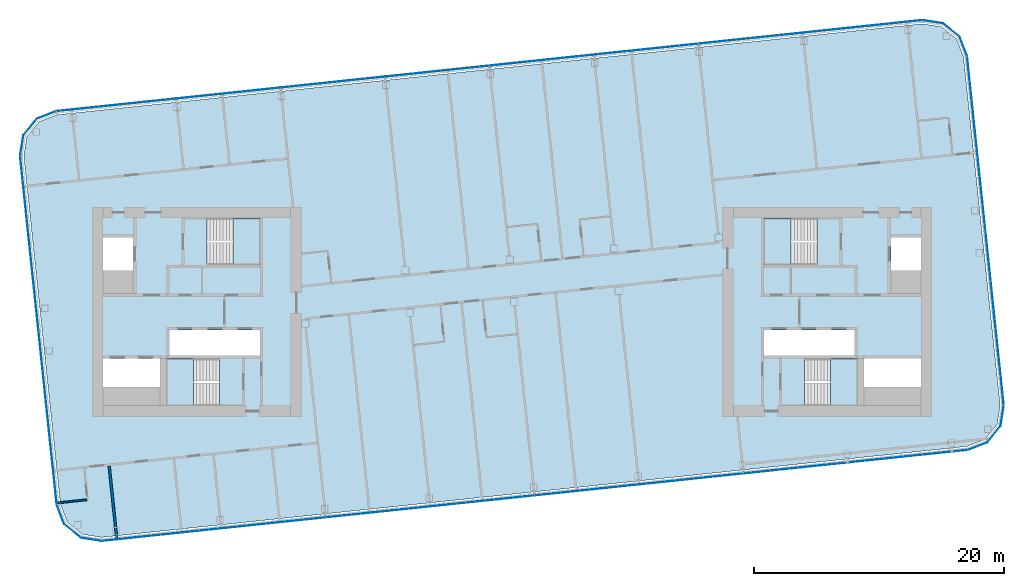
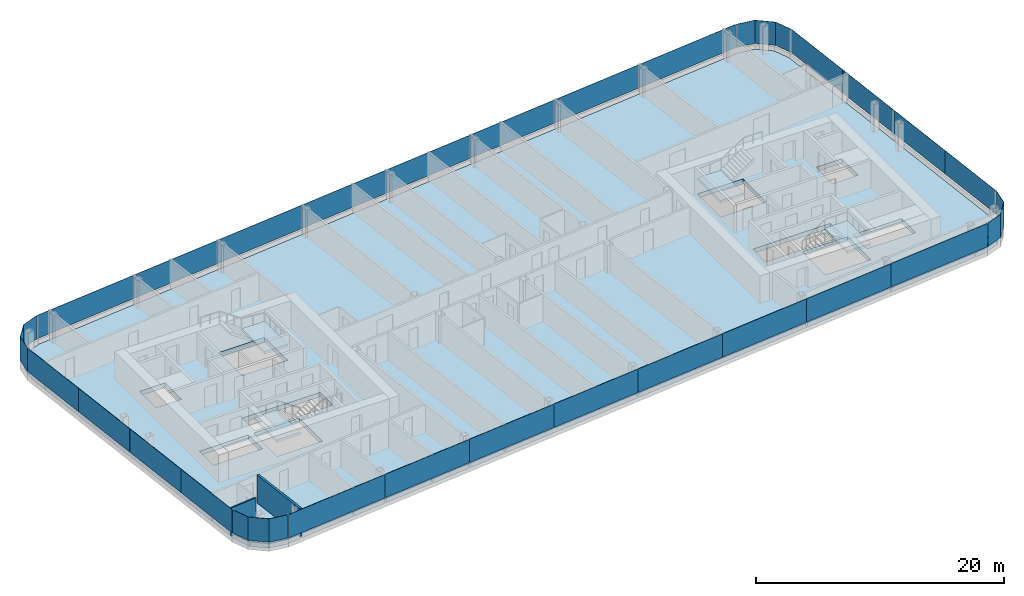
# One storey, part 13 of 27: 28 plates, 5 slabs, 2 walls, 12 elements without a shape of their own.
"""IFC4 building model written with IfcOpenShell, lengths in metres."""

from ifc_helpers import new_model, si_unit, direction, frame, frame_2d, origin, origin_2d, place, context, subcontext, project, spatial, polyline, rectangle, outline, extrude, material, layer, layer_set, type_object, element, aggregate, save


model = new_model("IFC4")

# Units and contexts
model_context = context("Model", 3, precision=1e-05, world=origin(), true_north=direction((0.0, 1.0)))
body_context = subcontext(model_context, "Body", "Model", "MODEL_VIEW")
ifc_project = project(units=[si_unit("LENGTHUNIT", "METRE"), si_unit("AREAUNIT", "SQUARE_METRE"), si_unit("VOLUMEUNIT", "CUBIC_METRE"), si_unit("PLANEANGLEUNIT", "RADIAN"), si_unit("MASSUNIT", "GRAM", prefix="KILO")], contexts=[model_context])

# Site, building, storey
site_placement = place(None, origin())
site = spatial("IfcSite", under=ifc_project, at=site_placement, CompositionType="ELEMENT")
building_placement = place(site_placement, origin())
building = spatial("IfcBuilding", under=site, at=building_placement, Name="Hakoniwa Tower and Hamabe Station Hall", CompositionType="ELEMENT")
storey_placement = place(building_placement, frame((0.0, 0.0, 255.0)))
storey = spatial("IfcBuildingStorey", under=building, at=storey_placement, Name="L72", CompositionType="ELEMENT", Elevation=255.0)

# Stair, slab
ifc_material_1 = material(Name="Concrete C40", Category="concrete")
stair_type = type_object("IfcStairType", Name="ESCAPE STAIR 1800", PredefinedType="HALF_TURN_STAIR", material=ifc_material_1)
stair_1_placement = place(storey_placement, origin())
stair_1 = element("IfcStair", 1, at=stair_1_placement, inside=storey, type_object=stair_type, Name="Escape stair ST-1 L72", PredefinedType="HALF_TURN_STAIR")
ifc_material_2 = material(Name="Concrete C40", Category="concrete")
ifc_layer_1 = layer(ifc_material_2, 0.25)
ifc_layer_set_1 = layer_set([ifc_layer_1], Name="CORE STAIR LANDING 250")
slab_type_1 = type_object("IfcSlabType", Name="CORE STAIR LANDING 250", PredefinedType="LANDING", material=ifc_layer_set_1)
slab_1_placement = place(storey_placement, frame((0.0, 0.0, 1.35009765625)))
slab_1 = element("IfcSlab", 2, at=slab_1_placement, type_object=slab_type_1, Name="ST-1 landing 1", PredefinedType="LANDING", context=body_context, shape_type="SweptSolid", body=[
    extrude(outline(polyline([(-22.320068359375, 3.75), (-20.14990234375, 3.75), (-20.14990234375, 7.5), (-22.320068359375, 7.5), (-22.320068359375, 3.75)])), origin(), (0.0, 0.0, 1.0), 0.25),
])
aggregate(stair_1, [slab_1])

stair_2_placement = place(storey_placement, origin())
stair_2 = element("IfcStair", 3, at=stair_2_placement, inside=storey, type_object=stair_type, Name="Escape stair ST-2 L72", PredefinedType="HALF_TURN_STAIR")
slab_2_placement = place(storey_placement, frame((0.0, 0.0, 1.35009765625)))
slab_2 = element("IfcSlab", 4, at=slab_2_placement, type_object=slab_type_1, Name="ST-2 landing 1", PredefinedType="LANDING", context=body_context, shape_type="SweptSolid", body=[
    extrude(outline(polyline([(-25.47998046875, -7.5), (-27.64990234375, -7.5), (-27.64990234375, -3.75), (-25.47998046875, -3.75), (-25.47998046875, -7.5)])), origin(), (0.0, 0.0, 1.0), 0.25),
])
aggregate(stair_2, [slab_2])

stair_3_placement = place(storey_placement, origin())
stair_3 = element("IfcStair", 5, at=stair_3_placement, inside=storey, type_object=stair_type, Name="Escape stair ST-3 L72", PredefinedType="HALF_TURN_STAIR")
slab_3_placement = place(storey_placement, frame((0.0, 0.0, 1.35009765625)))
slab_3 = element("IfcSlab", 6, at=slab_3_placement, type_object=slab_type_1, Name="ST-3 landing 1", PredefinedType="LANDING", context=body_context, shape_type="SweptSolid", body=[
    extrude(outline(polyline([(22.320068359375, 3.75), (20.14990234375, 3.75), (20.14990234375, 7.5), (22.320068359375, 7.5), (22.320068359375, 3.75)])), origin(), (0.0, 0.0, 1.0), 0.25),
])
aggregate(stair_3, [slab_3])

stair_4_placement = place(storey_placement, origin())
stair_4 = element("IfcStair", 7, at=stair_4_placement, inside=storey, type_object=stair_type, Name="Escape stair ST-4 L72", PredefinedType="HALF_TURN_STAIR")
slab_4_placement = place(storey_placement, frame((0.0, 0.0, 1.35009765625)))
slab_4 = element("IfcSlab", 8, at=slab_4_placement, type_object=slab_type_1, Name="ST-4 landing 1", PredefinedType="LANDING", context=body_context, shape_type="SweptSolid", body=[
    extrude(outline(polyline([(25.47998046875, -7.5), (27.64990234375, -7.5), (27.64990234375, -3.75), (25.47998046875, -3.75), (25.47998046875, -7.5)])), origin(), (0.0, 0.0, 1.0), 0.25),
])
aggregate(stair_4, [slab_4])

# Curtain wall, plates
ifc_material_3 = material(Name="Dark low-e laminated glass", Category="glass")
ifc_layer_2 = layer(ifc_material_3, 0.199951171875)
ifc_layer_set_2 = layer_set([ifc_layer_2], Name="CW-1 UNITISED GUEST")
curtain_wall_type = type_object("IfcCurtainWallType", Name="CW-1 UNITISED GUEST", PredefinedType="NOTDEFINED", material=ifc_layer_set_2)
curtain_wall_1_placement = place(storey_placement, origin())
curtain_wall_1 = element("IfcCurtainWall", 9, at=curtain_wall_1_placement, inside=storey, type_object=curtain_wall_type, Name="CW-1 curtain wall", PredefinedType="NOTDEFINED")
ifc_material_4 = material(Name="Dark low-e laminated glass", Category="glass")
ifc_layer_3 = layer(ifc_material_4, 0.028076171875)
ifc_layer_set_3 = layer_set([ifc_layer_3], Name="CW-1 GLASS UNIT")
plate_type = type_object("IfcPlateType", Name="CW-1 GLASS UNIT", PredefinedType="CURTAIN_PANEL", material=ifc_layer_set_3)
plate_1_placement = place(storey_placement, frame((38.97802734375, -3.990966796875, 0.35009765625), z_axis=(0.0, 0.0, 1.0), x_axis=(-0.104528468631, 0.994521894805, 0.0)))
plate_1 = element("IfcPlate", 10, at=plate_1_placement, type_object=plate_type, Name="CW-1 glass unit", PredefinedType="CURTAIN_PANEL", context=body_context, shape_type="SweptSolid", body=[
    extrude(rectangle(XDim=6.999755859375, YDim=0.028076171875, at=origin_2d()), origin(), (0.0, 0.0, 1.0), 2.300048828125),
])
plate_2_placement = place(storey_placement, frame((38.244140625, 2.990478515625, 0.35009765625), z_axis=(0.0, 0.0, 1.0), x_axis=(-0.104528468631, 0.994521894805, 0.0)))
plate_2 = element("IfcPlate", 11, at=plate_2_placement, type_object=plate_type, Name="CW-1 glass unit", PredefinedType="CURTAIN_PANEL", context=body_context, shape_type="SweptSolid", body=[
    extrude(rectangle(XDim=6.999755859375, YDim=0.028076171875, at=origin_2d()), origin(), (0.0, 0.0, 1.0), 2.300048828125),
])
plate_3_placement = place(storey_placement, frame((37.510498046875, 9.9716796875, 0.35009765625), z_axis=(0.0, 0.0, 1.0), x_axis=(-0.104528468631, 0.994521894805, 0.0)))
plate_3 = element("IfcPlate", 12, at=plate_3_placement, type_object=plate_type, Name="CW-1 glass unit", PredefinedType="CURTAIN_PANEL", context=body_context, shape_type="SweptSolid", body=[
    extrude(rectangle(XDim=6.999755859375, YDim=0.028076171875, at=origin_2d()), origin(), (0.0, 0.0, 1.0), 2.300048828125),
])
plate_4_placement = place(storey_placement, frame((36.776611328125, 16.953125, 0.35009765625), z_axis=(0.0, 0.0, 1.0), x_axis=(-0.104528468631, 0.994521894805, 0.0)))
plate_4 = element("IfcPlate", 13, at=plate_4_placement, type_object=plate_type, Name="CW-1 glass unit", PredefinedType="CURTAIN_PANEL", context=body_context, shape_type="SweptSolid", body=[
    extrude(rectangle(XDim=6.999755859375, YDim=0.028076171875, at=origin_2d()), origin(), (0.0, 0.0, 1.0), 2.300048828125),
])
aggregate(curtain_wall_1, [plate_1, plate_2, plate_3, plate_4])

# Curtain wall, plate
curtain_wall_2_placement = place(storey_placement, origin())
curtain_wall_2 = element("IfcCurtainWall", 14, at=curtain_wall_2_placement, inside=storey, type_object=curtain_wall_type, Name="CW-1 curtain wall", PredefinedType="NOTDEFINED")
plate_5_placement = place(storey_placement, frame((0.0, 0.0, 0.35009765625)))
plate_5 = element("IfcPlate", 15, at=plate_5_placement, type_object=plate_type, Name="CW-1 curved corner unit", PredefinedType="CURTAIN_PANEL", context=body_context, shape_type="SweptSolid", body=[
    extrude(outline(polyline([(36.409423828125, 20.482421875), (35.82421875, 22.0068359375), (34.492431640625, 23.085205078125), (32.8798828125, 23.340576171875), (32.87548828125, 23.31298828125), (34.480712890625, 23.058837890625), (35.80078125, 21.98974609375), (36.38330078125, 20.472412109375), (36.409423828125, 20.482421875)])), origin(), (0.0, 0.0, 1.0), 2.2998046875),
])
aggregate(curtain_wall_2, [plate_5])

# Curtain wall, plates
curtain_wall_3_placement = place(storey_placement, origin())
curtain_wall_3 = element("IfcCurtainWall", 16, at=curtain_wall_3_placement, inside=storey, type_object=curtain_wall_type, Name="CW-1 curtain wall", PredefinedType="NOTDEFINED")
plate_6_placement = place(storey_placement, frame((28.04833984375, 22.829345703125, 0.35009765625), z_axis=(0.0, 0.0, 1.0), x_axis=(-0.994521895272, -0.104528464188, 0.0)))
plate_6 = element("IfcPlate", 17, at=plate_6_placement, type_object=plate_type, Name="CW-1 glass unit", PredefinedType="CURTAIN_PANEL", context=body_context, shape_type="SweptSolid", body=[
    extrude(rectangle(XDim=9.619384765625, YDim=0.028076171875, at=origin_2d()), origin(), (0.0, 0.0, 1.0), 2.300048828125),
])
plate_7_placement = place(storey_placement, frame((19.078125, 21.886474609375, 0.35009765625), z_axis=(0.0, 0.0, 1.0), x_axis=(-0.994521895272, -0.104528464188, 0.0)))
plate_7 = element("IfcPlate", 18, at=plate_7_placement, type_object=plate_type, Name="CW-1 glass unit", PredefinedType="CURTAIN_PANEL", context=body_context, shape_type="SweptSolid", body=[
    extrude(rectangle(XDim=8.3798828125, YDim=0.028076171875, at=origin_2d()), origin(), (0.0, 0.0, 1.0), 2.300048828125),
])
plate_8_placement = place(storey_placement, frame((10.72412109375, 21.00830078125, 0.35009765625), z_axis=(0.0, 0.0, 1.0), x_axis=(-0.994521895272, -0.104528464188, 0.0)))
plate_8 = element("IfcPlate", 19, at=plate_8_placement, type_object=plate_type, Name="CW-1 glass unit", PredefinedType="CURTAIN_PANEL", context=body_context, shape_type="SweptSolid", body=[
    extrude(rectangle(XDim=8.3798828125, YDim=0.028076171875, at=origin_2d()), origin(), (0.0, 0.0, 1.0), 2.300048828125),
])
plate_9_placement = place(storey_placement, frame((2.3701171875, 20.13037109375, 0.35009765625), z_axis=(0.0, 0.0, 1.0), x_axis=(-0.994521895272, -0.104528464188, 0.0)))
plate_9 = element("IfcPlate", 20, at=plate_9_placement, type_object=plate_type, Name="CW-1 glass unit", PredefinedType="CURTAIN_PANEL", context=body_context, shape_type="SweptSolid", body=[
    extrude(rectangle(XDim=8.3798828125, YDim=0.028076171875, at=origin_2d()), origin(), (0.0, 0.0, 1.0), 2.300048828125),
])
plate_10_placement = place(storey_placement, frame((-5.98388671875, 19.252197265625, 0.35009765625), z_axis=(0.0, 0.0, 1.0), x_axis=(-0.994521895272, -0.104528464188, 0.0)))
plate_10 = element("IfcPlate", 21, at=plate_10_placement, type_object=plate_type, Name="CW-1 glass unit", PredefinedType="CURTAIN_PANEL", context=body_context, shape_type="SweptSolid", body=[
    extrude(rectangle(XDim=8.3798828125, YDim=0.028076171875, at=origin_2d()), origin(), (0.0, 0.0, 1.0), 2.300048828125),
])
plate_11_placement = place(storey_placement, frame((-14.337890625, 18.374267578125, 0.35009765625), z_axis=(0.0, 0.0, 1.0), x_axis=(-0.994521895272, -0.104528464188, 0.0)))
plate_11 = element("IfcPlate", 22, at=plate_11_placement, type_object=plate_type, Name="CW-1 glass unit", PredefinedType="CURTAIN_PANEL", context=body_context, shape_type="SweptSolid", body=[
    extrude(rectangle(XDim=8.3798828125, YDim=0.028076171875, at=origin_2d()), origin(), (0.0, 0.0, 1.0), 2.300048828125),
])
plate_12_placement = place(storey_placement, frame((-22.69189453125, 17.49609375, 0.35009765625), z_axis=(0.0, 0.0, 1.0), x_axis=(-0.994521895272, -0.104528464188, 0.0)))
plate_12 = element("IfcPlate", 23, at=plate_12_placement, type_object=plate_type, Name="CW-1 glass unit", PredefinedType="CURTAIN_PANEL", context=body_context, shape_type="SweptSolid", body=[
    extrude(rectangle(XDim=8.3798828125, YDim=0.028076171875, at=origin_2d()), origin(), (0.0, 0.0, 1.0), 2.300048828125),
])
plate_13_placement = place(storey_placement, frame((-31.662109375, 16.553466796875, 0.35009765625), z_axis=(0.0, 0.0, 1.0), x_axis=(-0.994521895272, -0.104528464188, 0.0)))
plate_13 = element("IfcPlate", 24, at=plate_13_placement, type_object=plate_type, Name="CW-1 glass unit", PredefinedType="CURTAIN_PANEL", context=body_context, shape_type="SweptSolid", body=[
    extrude(rectangle(XDim=9.619384765625, YDim=0.028076171875, at=origin_2d()), origin(), (0.0, 0.0, 1.0), 2.300048828125),
])
aggregate(curtain_wall_3, [plate_6, plate_7, plate_8, plate_9, plate_10, plate_11, plate_12, plate_13])

# Curtain wall, plate
curtain_wall_4_placement = place(storey_placement, origin())
curtain_wall_4 = element("IfcCurtainWall", 25, at=curtain_wall_4_placement, inside=storey, type_object=curtain_wall_type, Name="CW-1 curtain wall", PredefinedType="NOTDEFINED")
plate_14_placement = place(storey_placement, frame((0.0, 0.0, 0.35009765625)))
plate_14 = element("IfcPlate", 26, at=plate_14_placement, type_object=plate_type, Name="CW-1 curved corner unit", PredefinedType="CURTAIN_PANEL", context=body_context, shape_type="SweptSolid", body=[
    extrude(outline(polyline([(-36.494384765625, 16.049072265625), (-38.0185546875, 15.464111328125), (-39.09716796875, 14.13232421875), (-39.3525390625, 12.51953125), (-39.324951171875, 12.51513671875), (-39.070556640625, 14.120361328125), (-38.001708984375, 15.440673828125), (-36.484375, 16.02294921875), (-36.494384765625, 16.049072265625)])), origin(), (0.0, 0.0, 1.0), 2.2998046875),
])
aggregate(curtain_wall_4, [plate_14])

# Curtain wall, plates
curtain_wall_5_placement = place(storey_placement, origin())
curtain_wall_5 = element("IfcCurtainWall", 27, at=curtain_wall_5_placement, inside=storey, type_object=curtain_wall_type, Name="CW-1 curtain wall", PredefinedType="NOTDEFINED")
plate_15_placement = place(storey_placement, frame((-38.97802734375, 8.990966796875, 0.35009765625), z_axis=(0.0, 0.0, 1.0), x_axis=(0.104528468631, -0.994521894805, 0.0)))
plate_15 = element("IfcPlate", 28, at=plate_15_placement, type_object=plate_type, Name="CW-1 glass unit", PredefinedType="CURTAIN_PANEL", context=body_context, shape_type="SweptSolid", body=[
    extrude(rectangle(XDim=6.999755859375, YDim=0.028076171875, at=origin_2d()), origin(), (0.0, 0.0, 1.0), 2.300048828125),
])
plate_16_placement = place(storey_placement, frame((-38.244140625, 2.009521484375, 0.35009765625), z_axis=(0.0, 0.0, 1.0), x_axis=(0.104528468631, -0.994521894805, 0.0)))
plate_16 = element("IfcPlate", 29, at=plate_16_placement, type_object=plate_type, Name="CW-1 glass unit", PredefinedType="CURTAIN_PANEL", context=body_context, shape_type="SweptSolid", body=[
    extrude(rectangle(XDim=6.999755859375, YDim=0.028076171875, at=origin_2d()), origin(), (0.0, 0.0, 1.0), 2.300048828125),
])
plate_17_placement = place(storey_placement, frame((-37.510498046875, -4.9716796875, 0.35009765625), z_axis=(0.0, 0.0, 1.0), x_axis=(0.104528468631, -0.994521894805, 0.0)))
plate_17 = element("IfcPlate", 30, at=plate_17_placement, type_object=plate_type, Name="CW-1 glass unit", PredefinedType="CURTAIN_PANEL", context=body_context, shape_type="SweptSolid", body=[
    extrude(rectangle(XDim=6.999755859375, YDim=0.028076171875, at=origin_2d()), origin(), (0.0, 0.0, 1.0), 2.300048828125),
])
plate_18_placement = place(storey_placement, frame((-36.776611328125, -11.953125, 0.35009765625), z_axis=(0.0, 0.0, 1.0), x_axis=(0.104528468631, -0.994521894805, 0.0)))
plate_18 = element("IfcPlate", 31, at=plate_18_placement, type_object=plate_type, Name="CW-1 glass unit", PredefinedType="CURTAIN_PANEL", context=body_context, shape_type="SweptSolid", body=[
    extrude(rectangle(XDim=6.999755859375, YDim=0.028076171875, at=origin_2d()), origin(), (0.0, 0.0, 1.0), 2.300048828125),
])
aggregate(curtain_wall_5, [plate_15, plate_16, plate_17, plate_18])

# Curtain wall, plate
curtain_wall_6_placement = place(storey_placement, origin())
curtain_wall_6 = element("IfcCurtainWall", 32, at=curtain_wall_6_placement, inside=storey, type_object=curtain_wall_type, Name="CW-1 curtain wall", PredefinedType="NOTDEFINED")
plate_19_placement = place(storey_placement, frame((0.0, 0.0, 0.35009765625)))
plate_19 = element("IfcPlate", 33, at=plate_19_placement, type_object=plate_type, Name="CW-1 curved corner unit", PredefinedType="CURTAIN_PANEL", context=body_context, shape_type="SweptSolid", body=[
    extrude(outline(polyline([(-36.409423828125, -15.482421875), (-35.82421875, -17.0068359375), (-34.492431640625, -18.085205078125), (-32.8798828125, -18.340576171875), (-32.87548828125, -18.31298828125), (-34.480712890625, -18.058837890625), (-35.80078125, -16.98974609375), (-36.38330078125, -15.472412109375), (-36.409423828125, -15.482421875)])), origin(), (0.0, 0.0, 1.0), 2.2998046875),
])
aggregate(curtain_wall_6, [plate_19])

# Curtain wall, plates
curtain_wall_7_placement = place(storey_placement, origin())
curtain_wall_7 = element("IfcCurtainWall", 34, at=curtain_wall_7_placement, inside=storey, type_object=curtain_wall_type, Name="CW-1 curtain wall", PredefinedType="NOTDEFINED")
plate_20_placement = place(storey_placement, frame((-28.04833984375, -17.829345703125, 0.35009765625), z_axis=(0.0, 0.0, 1.0), x_axis=(0.994521895272, 0.104528464188, 0.0)))
plate_20 = element("IfcPlate", 35, at=plate_20_placement, type_object=plate_type, Name="CW-1 glass unit", PredefinedType="CURTAIN_PANEL", context=body_context, shape_type="SweptSolid", body=[
    extrude(rectangle(XDim=9.619384765625, YDim=0.028076171875, at=origin_2d()), origin(), (0.0, 0.0, 1.0), 2.300048828125),
])
plate_21_placement = place(storey_placement, frame((-19.078125, -16.886474609375, 0.35009765625), z_axis=(0.0, 0.0, 1.0), x_axis=(0.994521895272, 0.104528464188, 0.0)))
plate_21 = element("IfcPlate", 36, at=plate_21_placement, type_object=plate_type, Name="CW-1 glass unit", PredefinedType="CURTAIN_PANEL", context=body_context, shape_type="SweptSolid", body=[
    extrude(rectangle(XDim=8.3798828125, YDim=0.028076171875, at=origin_2d()), origin(), (0.0, 0.0, 1.0), 2.300048828125),
])
plate_22_placement = place(storey_placement, frame((-10.72412109375, -16.00830078125, 0.35009765625), z_axis=(0.0, 0.0, 1.0), x_axis=(0.994521895272, 0.104528464188, 0.0)))
plate_22 = element("IfcPlate", 37, at=plate_22_placement, type_object=plate_type, Name="CW-1 glass unit", PredefinedType="CURTAIN_PANEL", context=body_context, shape_type="SweptSolid", body=[
    extrude(rectangle(XDim=8.3798828125, YDim=0.028076171875, at=origin_2d()), origin(), (0.0, 0.0, 1.0), 2.300048828125),
])
plate_23_placement = place(storey_placement, frame((-2.3701171875, -15.13037109375, 0.35009765625), z_axis=(0.0, 0.0, 1.0), x_axis=(0.994521895272, 0.104528464188, 0.0)))
plate_23 = element("IfcPlate", 38, at=plate_23_placement, type_object=plate_type, Name="CW-1 glass unit", PredefinedType="CURTAIN_PANEL", context=body_context, shape_type="SweptSolid", body=[
    extrude(rectangle(XDim=8.3798828125, YDim=0.028076171875, at=origin_2d()), origin(), (0.0, 0.0, 1.0), 2.300048828125),
])
plate_24_placement = place(storey_placement, frame((5.98388671875, -14.252197265625, 0.35009765625), z_axis=(0.0, 0.0, 1.0), x_axis=(0.994521895272, 0.104528464188, 0.0)))
plate_24 = element("IfcPlate", 39, at=plate_24_placement, type_object=plate_type, Name="CW-1 glass unit", PredefinedType="CURTAIN_PANEL", context=body_context, shape_type="SweptSolid", body=[
    extrude(rectangle(XDim=8.3798828125, YDim=0.028076171875, at=origin_2d()), origin(), (0.0, 0.0, 1.0), 2.300048828125),
])
plate_25_placement = place(storey_placement, frame((14.337890625, -13.374267578125, 0.35009765625), z_axis=(0.0, 0.0, 1.0), x_axis=(0.994521895272, 0.104528464188, 0.0)))
plate_25 = element("IfcPlate", 40, at=plate_25_placement, type_object=plate_type, Name="CW-1 glass unit", PredefinedType="CURTAIN_PANEL", context=body_context, shape_type="SweptSolid", body=[
    extrude(rectangle(XDim=8.3798828125, YDim=0.028076171875, at=origin_2d()), origin(), (0.0, 0.0, 1.0), 2.300048828125),
])
plate_26_placement = place(storey_placement, frame((22.69189453125, -12.49609375, 0.35009765625), z_axis=(0.0, 0.0, 1.0), x_axis=(0.994521895272, 0.104528464188, 0.0)))
plate_26 = element("IfcPlate", 41, at=plate_26_placement, type_object=plate_type, Name="CW-1 glass unit", PredefinedType="CURTAIN_PANEL", context=body_context, shape_type="SweptSolid", body=[
    extrude(rectangle(XDim=8.3798828125, YDim=0.028076171875, at=origin_2d()), origin(), (0.0, 0.0, 1.0), 2.300048828125),
])
plate_27_placement = place(storey_placement, frame((31.662109375, -11.553466796875, 0.35009765625), z_axis=(0.0, 0.0, 1.0), x_axis=(0.994521895272, 0.104528464188, 0.0)))
plate_27 = element("IfcPlate", 42, at=plate_27_placement, type_object=plate_type, Name="CW-1 glass unit", PredefinedType="CURTAIN_PANEL", context=body_context, shape_type="SweptSolid", body=[
    extrude(rectangle(XDim=9.619384765625, YDim=0.028076171875, at=origin_2d()), origin(), (0.0, 0.0, 1.0), 2.300048828125),
])
aggregate(curtain_wall_7, [plate_20, plate_21, plate_22, plate_23, plate_24, plate_25, plate_26, plate_27])

# Curtain wall, plate
curtain_wall_8_placement = place(storey_placement, origin())
curtain_wall_8 = element("IfcCurtainWall", 43, at=curtain_wall_8_placement, inside=storey, type_object=curtain_wall_type, Name="CW-1 curtain wall", PredefinedType="NOTDEFINED")
plate_28_placement = place(storey_placement, frame((0.0, 0.0, 0.35009765625)))
plate_28 = element("IfcPlate", 44, at=plate_28_placement, type_object=plate_type, Name="CW-1 curved corner unit", PredefinedType="CURTAIN_PANEL", context=body_context, shape_type="SweptSolid", body=[
    extrude(outline(polyline([(36.494384765625, -11.049072265625), (38.0185546875, -10.464111328125), (39.09716796875, -9.13232421875), (39.3525390625, -7.51953125), (39.324951171875, -7.51513671875), (39.070556640625, -9.120361328125), (38.001708984375, -10.440673828125), (36.484375, -11.02294921875), (36.494384765625, -11.049072265625)])), origin(), (0.0, 0.0, 1.0), 2.2998046875),
])
aggregate(curtain_wall_8, [plate_28])

# Slab
ifc_material_5 = material(Name="Concrete C42", Category="concrete")
ifc_layer_4 = layer(ifc_material_5, 0.449951171875)
ifc_layer_set_4 = layer_set([ifc_layer_4], Name="PT FLAT PLATE 450")
slab_type_2 = type_object("IfcSlabType", Name="PT FLAT PLATE 450", PredefinedType="FLOOR", material=ifc_layer_set_4)
slab_5_placement = place(storey_placement, frame((0.0, 0.0, -0.449951171875)))
element("IfcSlab", 45, at=slab_5_placement, inside=storey, type_object=slab_type_2, Name="Floor slab L72", PredefinedType="FLOOR", context=body_context, shape_type="SweptSolid", body=[
    extrude(outline(polyline([(39.056396484375, -7.47216796875), (36.12939453125, 20.37451171875), (35.572998046875, 21.82421875), (34.3662109375, 22.801513671875), (32.83251953125, 23.04443359375), (-36.38623046875, 15.769287109375), (-37.836181640625, 15.212890625), (-38.8134765625, 14.005859375), (-39.056396484375, 12.47216796875), (-36.12939453125, -15.37451171875), (-35.572998046875, -16.82421875), (-34.3662109375, -17.801513671875), (-32.83251953125, -18.04443359375), (36.38623046875, -10.769287109375), (37.836181640625, -10.212890625), (38.8134765625, -9.005859375), (39.056396484375, -7.47216796875)]), holes=[polyline([(-27.39990234375, -3.5), (-27.39990234375, -1.449951171875), (-20.14990234375, -1.449951171875), (-20.14990234375, -3.5), (-27.39990234375, -3.5)]), polyline([(-32.699951171875, 3.300048828125), (-32.699951171875, 5.949951171875), (-30.300048828125, 5.949951171875), (-30.300048828125, 3.300048828125), (-32.699951171875, 3.300048828125)]), polyline([(-32.699951171875, -6.0), (-32.699951171875, -3.75), (-28.14990234375, -3.75), (-28.14990234375, -6.0), (-32.699951171875, -6.0)]), polyline([(-24.389892578125, 3.75), (-24.389892578125, 7.5), (-20.14990234375, 7.5), (-20.14990234375, 3.75), (-24.389892578125, 3.75)]), polyline([(-27.64990234375, -7.5), (-27.64990234375, -3.75), (-23.409912109375, -3.75), (-23.409912109375, -7.5), (-27.64990234375, -7.5)]), polyline([(20.14990234375, -3.5), (20.14990234375, -1.449951171875), (27.39990234375, -1.449951171875), (27.39990234375, -3.5), (20.14990234375, -3.5)]), polyline([(30.300048828125, 3.300048828125), (30.300048828125, 5.949951171875), (32.699951171875, 5.949951171875), (32.699951171875, 3.300048828125), (30.300048828125, 3.300048828125)]), polyline([(28.14990234375, -6.0), (28.14990234375, -3.75), (32.699951171875, -3.75), (32.699951171875, -6.0), (28.14990234375, -6.0)]), polyline([(20.14990234375, 3.75), (20.14990234375, 7.5), (24.389892578125, 7.5), (24.389892578125, 3.75), (20.14990234375, 3.75)]), polyline([(23.409912109375, -7.5), (23.409912109375, -3.75), (27.64990234375, -3.75), (27.64990234375, -7.5), (23.409912109375, -7.5)])]), origin(), (0.0, 0.0, 1.0), 0.449951171875),
])

# Walls
ifc_material_6 = material(Name="Gypsum board partition", Category="gypsum")
ifc_layer_5 = layer(ifc_material_6, 0.125)
ifc_layer_set_5 = layer_set([ifc_layer_5], Name="Bathroom Partition 125")
wall_type_1 = type_object("IfcWallType", Name="Bathroom Partition 125", PredefinedType="PARTITIONING", material=ifc_layer_set_5)
wall_1_placement = place(storey_placement, frame((-36.43994140625, -15.290771484375, 0.0), z_axis=(0.0, 0.0, 1.0), x_axis=(0.994517520739, 0.10457007671, 0.0)))
element("IfcWall", 46, at=wall_1_placement, inside=storey, type_object=wall_type_1, Name="GW-L72-002", PredefinedType="PARTITIONING", context=body_context, shape_type="SweptSolid", body=[
    extrude(rectangle(XDim=2.4375, YDim=0.125, at=frame_2d((1.21875, 0.0))), origin(), (0.0, 0.0, 1.0), 2.75),
])
ifc_material_7 = material(Name="Fire-rated gypsum board partition", Category="gypsum")
ifc_layer_6 = layer(ifc_material_7, 0.199951171875)
ifc_layer_set_6 = layer_set([ifc_layer_6], Name="Party Wall 200")
wall_type_2 = type_object("IfcWallType", Name="Party Wall 200", PredefinedType="PARTITIONING", material=ifc_layer_set_6)
wall_2_placement = place(storey_placement, frame((-31.607666015625, -18.21728515625, 0.0), z_axis=(0.0, 0.0, 1.0), x_axis=(-0.10453655107, 0.994521045273, 0.0)))
element("IfcWall", 47, at=wall_2_placement, inside=storey, type_object=wall_type_2, Name="GW-L72-015", PredefinedType="PARTITIONING", context=body_context, shape_type="SweptSolid", body=[
    extrude(rectangle(XDim=5.915771484375, YDim=0.199951171875, at=frame_2d((2.9580078125, 0.0))), origin(), (0.0, 0.0, 1.0), 2.75),
])

save(model, "model.ifc")
